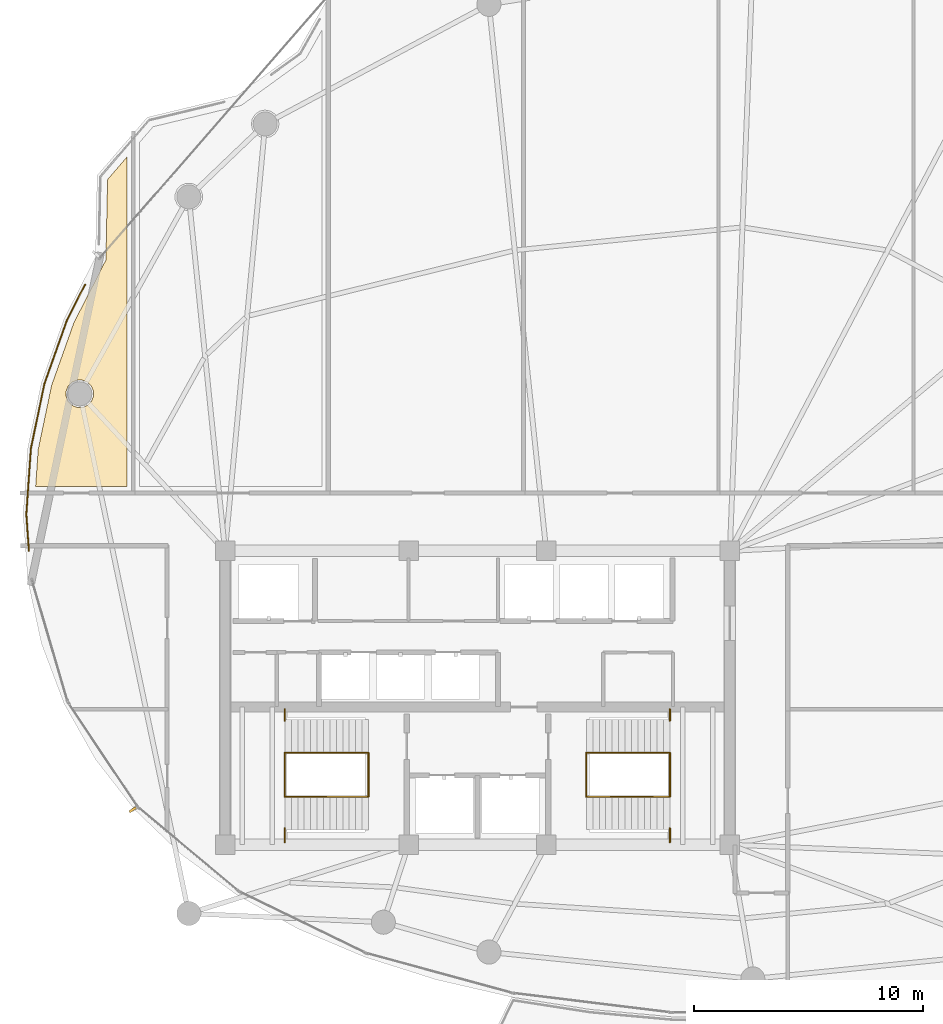
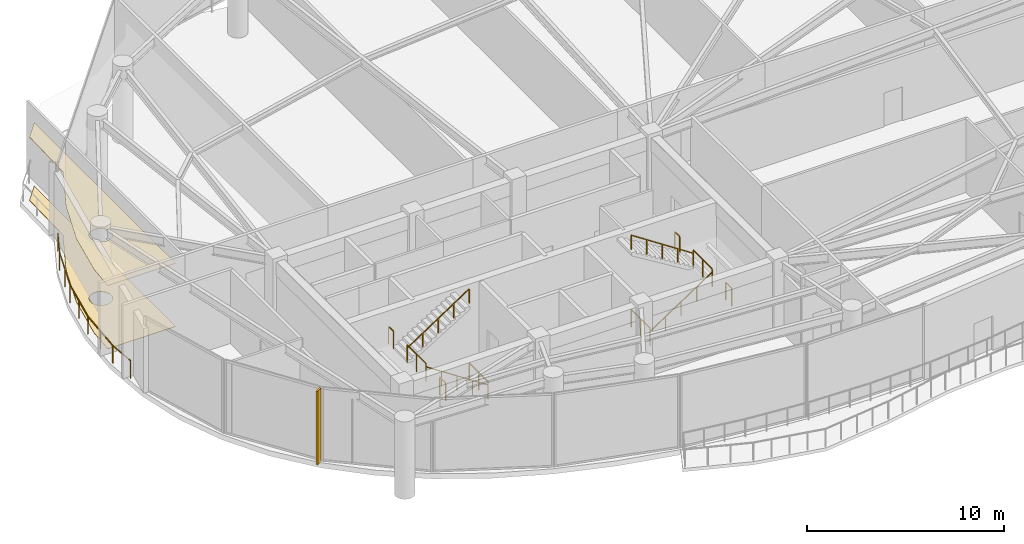
# One storey, part 26 of 28: 13 railings, 2 coverings, 1 shading device.
"""IFC4 building model written with IfcOpenShell, lengths in metres."""

from ifc_helpers import new_model, si_unit, direction, frame, origin, origin_2d, place, context, subcontext, project, spatial, polyline, rectangle, outline, extrude, material, layer, layer_set, type_object, element, save


model = new_model("IFC4")

# Units and contexts
model_context = context("Model", 3, precision=1e-05, world=origin(), true_north=direction((0.0, 1.0)))
body_context = subcontext(model_context, "Body", "Model", "MODEL_VIEW")
ifc_project = project(units=[si_unit("LENGTHUNIT", "METRE"), si_unit("AREAUNIT", "SQUARE_METRE"), si_unit("VOLUMEUNIT", "CUBIC_METRE"), si_unit("PLANEANGLEUNIT", "RADIAN"), si_unit("MASSUNIT", "GRAM", prefix="KILO")], contexts=[model_context])

# Site, building, storey
site_placement = place(None, origin())
site = spatial("IfcSite", under=ifc_project, at=site_placement, CompositionType="ELEMENT")
building_placement = place(site_placement, origin())
building = spatial("IfcBuilding", under=site, at=building_placement, Name="Kazevale Care Tower and Concert Hall", CompositionType="ELEMENT")
storey_placement = place(building_placement, frame((0.0, 0.0, 190.800048828125)))
storey = spatial("IfcBuildingStorey", under=building, at=storey_placement, Name="L50", CompositionType="ELEMENT", Elevation=190.800048828125)

# Covering
ifc_material_1 = material(Name="Acoustic Plaster and Hinoki Wood", Category="wood")
ifc_layer_1 = layer(ifc_material_1, 0.0400390625)
ifc_layer_set_1 = layer_set([ifc_layer_1], Name="Acoustic Plaster and Hinoki Wood")
covering_type_1 = type_object("IfcCoveringType", Name="Acoustic Perforated Wood-Gypsum Ceiling", PredefinedType="CEILING", material=ifc_layer_set_1)
covering_1_placement = place(storey_placement, frame((0.0, 0.0, 3.909912109375)))
element("IfcCovering", 1, at=covering_1_placement, inside=storey, type_object=covering_type_1, Name="clg:L50:1", PredefinedType="CEILING", context=body_context, shape_type="SweptSolid", body=[
    extrude(outline(polyline([(15.407958984375, 46.339111328125), (16.806884765625, 49.0791015625), (16.8798828125, 52.589111328125), (17.719970703125, 53.56298828125), (17.719970703125, 39.205078125), (13.7451171875, 39.205078125), (13.85693359375, 40.824951171875), (14.44091796875, 43.615966796875), (15.407958984375, 46.339111328125)]), holes=[polyline([(16.262939453125, 43.367919921875), (16.173095703125, 43.5859375), (16.006103515625, 43.7529296875), (15.7880859375, 43.843017578125), (15.552001953125, 43.843017578125), (15.333984375, 43.7529296875), (15.1669921875, 43.5859375), (15.076904296875, 43.367919921875), (15.076904296875, 43.132080078125), (15.1669921875, 42.9140625), (15.333984375, 42.7470703125), (15.552001953125, 42.656982421875), (15.7880859375, 42.656982421875), (16.006103515625, 42.7470703125), (16.173095703125, 42.9140625), (16.262939453125, 43.132080078125), (16.262939453125, 43.367919921875)])]), origin(), (0.0, 0.0, 1.0), 0.0400390625),
])

# Railing
ifc_material_2 = material(Name="Anodised Bronze Aluminium and Laminated Glass", Category="aluminium")
railing_type_1 = type_object("IfcRailingType", Name="Balcony and Terrace Balustrade 1120", PredefinedType="BALUSTRADE", material=ifc_material_2)
railing_1_placement = place(storey_placement, frame((13.451904296875, 36.39892578125, 0.0)))
element("IfcRailing", 2, at=railing_1_placement, inside=storey, type_object=railing_type_1, Name="rail:L50:perim:1", PredefinedType="BALUSTRADE", context=body_context, shape_type="SweptSolid", body=[
    extrude(rectangle(XDim=0.048095703125, YDim=0.048095703125, at=origin_2d()), frame((0.0, 0.0, 1.09619140625), z_axis=(-0.069668671127, 0.997570186134, 0.0), x_axis=(-0.997570186134, -0.069668671127, 0.0)), (0.0, 0.0, 1.0), 1.60498046875),
    extrude(rectangle(XDim=0.048095703125, YDim=0.048095703125, at=origin_2d()), frame((-0.11181640625, 1.60107421875, 1.09619140625), z_axis=(0.069189590327, 0.997603528758, 0.0), x_axis=(-0.997603528758, 0.069189590327, 0.0)), (0.0, 0.0, 1.0), 2.875732421875),
    extrude(rectangle(XDim=0.048095703125, YDim=0.048095703125, at=origin_2d()), frame((0.087158203125, 4.469970703125, 1.09619140625), z_axis=(0.204816187417, 0.978800454317, 0.0), x_axis=(-0.978800454317, 0.204816187417, 0.0)), (0.0, 0.0, 1.0), 2.895263671875),
    extrude(rectangle(XDim=0.048095703125, YDim=0.048095703125, at=origin_2d()), frame((0.68017578125, 7.303955078125, 1.09619140625), z_axis=(0.334552974602, 0.942376945381, 0.0), x_axis=(-0.942376945381, 0.334552974602, 0.0)), (0.0, 0.0, 1.0), 2.93212890625),
    extrude(rectangle(XDim=0.048095703125, YDim=0.048095703125, at=origin_2d()), frame((1.6611328125, 10.067138671875, 1.09619140625), z_axis=(0.455056261721, 0.890462687971, 0.0), x_axis=(-0.890462687971, 0.455056261721, 0.0)), (0.0, 0.0, 1.0), 1.72705078125),
    extrude(rectangle(XDim=0.0419921875, YDim=0.0419921875, at=origin_2d()), origin(), (0.0, 0.0, 1.0), 1.072021484375),
    extrude(rectangle(XDim=0.0419921875, YDim=0.0419921875, at=origin_2d()), frame((-0.11181640625, 1.60107421875, 0.0)), (0.0, 0.0, 1.0), 1.072021484375),
    extrude(rectangle(XDim=0.0419921875, YDim=0.0419921875, at=origin_2d()), frame((-0.01220703125, 3.03564453125, 0.0)), (0.0, 0.0, 1.0), 1.072021484375),
    extrude(rectangle(XDim=0.0419921875, YDim=0.0419921875, at=origin_2d()), frame((0.087158203125, 4.469970703125, 0.0)), (0.0, 0.0, 1.0), 1.072021484375),
    extrude(rectangle(XDim=0.0419921875, YDim=0.0419921875, at=origin_2d()), frame((0.3837890625, 5.886962890625, 0.0)), (0.0, 0.0, 1.0), 1.072021484375),
    extrude(rectangle(XDim=0.0419921875, YDim=0.0419921875, at=origin_2d()), frame((0.68017578125, 7.303955078125, 0.0)), (0.0, 0.0, 1.0), 1.072021484375),
    extrude(rectangle(XDim=0.0419921875, YDim=0.0419921875, at=origin_2d()), frame((1.170654296875, 8.685546875, 0.0)), (0.0, 0.0, 1.0), 1.072021484375),
    extrude(rectangle(XDim=0.0419921875, YDim=0.0419921875, at=origin_2d()), frame((1.6611328125, 10.067138671875, 0.0)), (0.0, 0.0, 1.0), 1.072021484375),
    extrude(rectangle(XDim=0.0419921875, YDim=0.0419921875, at=origin_2d()), frame((2.447021484375, 11.60498046875, 0.0)), (0.0, 0.0, 1.0), 1.072021484375),
])

# Covering
ifc_material_3 = material(Name="Honed Ochre Limestone", Category="masonry")
ifc_layer_2 = layer(ifc_material_3, 0.02001953125)
ifc_layer_set_2 = layer_set([ifc_layer_2], Name="Honed Ochre Limestone")
covering_type_2 = type_object("IfcCoveringType", Name="Slip-Resistant Resilient Care Flooring", PredefinedType="FLOORING", material=ifc_layer_set_2)
covering_2_placement = place(storey_placement, origin())
element("IfcCovering", 3, at=covering_2_placement, inside=storey, type_object=covering_type_2, Name="flr:L50:1", PredefinedType="FLOORING", context=body_context, shape_type="SweptSolid", body=[
    extrude(outline(polyline([(15.407958984375, 46.339111328125), (16.806884765625, 49.0791015625), (16.8798828125, 52.589111328125), (17.719970703125, 53.56298828125), (17.719970703125, 39.205078125), (13.7451171875, 39.205078125), (13.85693359375, 40.824951171875), (14.44091796875, 43.615966796875), (15.407958984375, 46.339111328125)]), holes=[polyline([(16.262939453125, 43.367919921875), (16.173095703125, 43.5859375), (16.006103515625, 43.7529296875), (15.7880859375, 43.843017578125), (15.552001953125, 43.843017578125), (15.333984375, 43.7529296875), (15.1669921875, 43.5859375), (15.076904296875, 43.367919921875), (15.076904296875, 43.132080078125), (15.1669921875, 42.9140625), (15.333984375, 42.7470703125), (15.552001953125, 42.656982421875), (15.7880859375, 42.656982421875), (16.006103515625, 42.7470703125), (16.173095703125, 42.9140625), (16.262939453125, 43.132080078125), (16.262939453125, 43.367919921875)])]), origin(), (0.0, 0.0, 1.0), 0.02001953125),
])

# Railings
ifc_material_4 = material(Name="Stainless Steel 316", Category="steel")
railing_type_2 = type_object("IfcRailingType", Name="Stair Pitch Handrail 920", PredefinedType="HANDRAIL", material=ifc_material_4)
railing_2_placement = place(storey_placement, frame((28.25, 25.68994140625, 0.0)))
element("IfcRailing", 4, at=railing_2_placement, inside=storey, type_object=railing_type_2, Name="stair:L50:ST1:hr1", PredefinedType="HANDRAIL", context=body_context, shape_type="SweptSolid", body=[
    extrude(rectangle(XDim=0.048095703125, YDim=0.048095703125, at=origin_2d()), frame((0.0, 0.0, 0.89599609375), z_axis=(-0.834865213223, 0.0, 0.550454426587), x_axis=(0.0, -1.0, 0.0)), (0.0, 0.0, 1.0), 4.35986328125),
    extrude(rectangle(XDim=0.0419921875, YDim=0.0419921875, at=origin_2d()), origin(), (0.0, 0.0, 1.0), 0.871826171875),
    extrude(rectangle(XDim=0.0419921875, YDim=0.0419921875, at=origin_2d()), frame((-0.909912109375, 0.0, 0.60009765625)), (0.0, 0.0, 1.0), 0.871826171875),
    extrude(rectangle(XDim=0.0419921875, YDim=0.0419921875, at=origin_2d()), frame((-1.81982421875, 0.0, 1.199951171875)), (0.0, 0.0, 1.0), 0.871826171875),
    extrude(rectangle(XDim=0.0419921875, YDim=0.0419921875, at=origin_2d()), frame((-2.72998046875, 0.0, 1.7998046875)), (0.0, 0.0, 1.0), 0.871826171875),
    extrude(rectangle(XDim=0.0419921875, YDim=0.0419921875, at=origin_2d()), frame((-3.639892578125, 0.0, 2.39990234375)), (0.0, 0.0, 1.0), 0.871826171875),
])
railing_3_placement = place(storey_placement, frame((24.610107421875, 27.610107421875, 2.39990234375)))
element("IfcRailing", 5, at=railing_3_placement, inside=storey, type_object=railing_type_2, Name="stair:L50:ST1:hr2", PredefinedType="HANDRAIL", context=body_context, shape_type="SweptSolid", body=[
    extrude(rectangle(XDim=0.048095703125, YDim=0.048095703125, at=origin_2d()), frame((0.0, 0.0, 0.89599609375), z_axis=(0.834839479206, 0.0, 0.550493454965), x_axis=(0.0, 1.0, 0.0)), (0.0, 0.0, 1.0), 4.360107421875),
    extrude(rectangle(XDim=0.0419921875, YDim=0.0419921875, at=origin_2d()), origin(), (0.0, 0.0, 1.0), 0.871826171875),
    extrude(rectangle(XDim=0.0419921875, YDim=0.0419921875, at=origin_2d()), frame((0.909912109375, 0.0, 0.60009765625)), (0.0, 0.0, 1.0), 0.871826171875),
    extrude(rectangle(XDim=0.0419921875, YDim=0.0419921875, at=origin_2d()), frame((1.81982421875, 0.0, 1.2001953125)), (0.0, 0.0, 1.0), 0.871826171875),
    extrude(rectangle(XDim=0.0419921875, YDim=0.0419921875, at=origin_2d()), frame((2.72998046875, 0.0, 1.800048828125)), (0.0, 0.0, 1.0), 0.871826171875),
    extrude(rectangle(XDim=0.0419921875, YDim=0.0419921875, at=origin_2d()), frame((3.639892578125, 0.0, 2.400146484375)), (0.0, 0.0, 1.0), 0.871826171875),
])
railing_4_placement = place(storey_placement, frame((37.75, 25.68994140625, 0.0)))
element("IfcRailing", 6, at=railing_4_placement, inside=storey, type_object=railing_type_2, Name="stair:L50:ST2:hr1", PredefinedType="HANDRAIL", context=body_context, shape_type="SweptSolid", body=[
    extrude(rectangle(XDim=0.048095703125, YDim=0.048095703125, at=origin_2d()), frame((0.0, 0.0, 0.89599609375), z_axis=(0.834865213223, 0.0, 0.550454426587), x_axis=(0.0, 1.0, 0.0)), (0.0, 0.0, 1.0), 4.35986328125),
    extrude(rectangle(XDim=0.0419921875, YDim=0.0419921875, at=origin_2d()), origin(), (0.0, 0.0, 1.0), 0.871826171875),
    extrude(rectangle(XDim=0.0419921875, YDim=0.0419921875, at=origin_2d()), frame((0.909912109375, 0.0, 0.60009765625)), (0.0, 0.0, 1.0), 0.871826171875),
    extrude(rectangle(XDim=0.0419921875, YDim=0.0419921875, at=origin_2d()), frame((1.81982421875, 0.0, 1.199951171875)), (0.0, 0.0, 1.0), 0.871826171875),
    extrude(rectangle(XDim=0.0419921875, YDim=0.0419921875, at=origin_2d()), frame((2.72998046875, 0.0, 1.7998046875)), (0.0, 0.0, 1.0), 0.871826171875),
    extrude(rectangle(XDim=0.0419921875, YDim=0.0419921875, at=origin_2d()), frame((3.639892578125, 0.0, 2.39990234375)), (0.0, 0.0, 1.0), 0.871826171875),
])
railing_5_placement = place(storey_placement, frame((41.389892578125, 27.610107421875, 2.39990234375)))
element("IfcRailing", 7, at=railing_5_placement, inside=storey, type_object=railing_type_2, Name="stair:L50:ST2:hr2", PredefinedType="HANDRAIL", context=body_context, shape_type="SweptSolid", body=[
    extrude(rectangle(XDim=0.048095703125, YDim=0.048095703125, at=origin_2d()), frame((0.0, 0.0, 0.89599609375), z_axis=(-0.834839479206, 0.0, 0.550493454965), x_axis=(0.0, -1.0, 0.0)), (0.0, 0.0, 1.0), 4.360107421875),
    extrude(rectangle(XDim=0.0419921875, YDim=0.0419921875, at=origin_2d()), origin(), (0.0, 0.0, 1.0), 0.871826171875),
    extrude(rectangle(XDim=0.0419921875, YDim=0.0419921875, at=origin_2d()), frame((-0.909912109375, 0.0, 0.60009765625)), (0.0, 0.0, 1.0), 0.871826171875),
    extrude(rectangle(XDim=0.0419921875, YDim=0.0419921875, at=origin_2d()), frame((-1.81982421875, 0.0, 1.2001953125)), (0.0, 0.0, 1.0), 0.871826171875),
    extrude(rectangle(XDim=0.0419921875, YDim=0.0419921875, at=origin_2d()), frame((-2.72998046875, 0.0, 1.800048828125)), (0.0, 0.0, 1.0), 0.871826171875),
    extrude(rectangle(XDim=0.0419921875, YDim=0.0419921875, at=origin_2d()), frame((-3.639892578125, 0.0, 2.400146484375)), (0.0, 0.0, 1.0), 0.871826171875),
])
railing_type_3 = type_object("IfcRailingType", Name="Stair Well Guard Balustrade 1120", PredefinedType="BALUSTRADE", material=ifc_material_4)
railing_6_placement = place(storey_placement, frame((24.610107421875, 23.699951171875, 2.39990234375)))
element("IfcRailing", 8, at=railing_6_placement, inside=storey, type_object=railing_type_3, Name="stair:L50:ST1:grd_side1", PredefinedType="BALUSTRADE", context=body_context, shape_type="SweptSolid", body=[
    extrude(rectangle(XDim=0.048095703125, YDim=0.048095703125, at=origin_2d()), frame((0.0, 0.0, 1.09619140625), z_axis=(0.0, 1.0, 0.0), x_axis=(-1.0, 0.0, 0.0)), (0.0, 0.0, 1.0), 0.610107421875),
    extrude(rectangle(XDim=0.0419921875, YDim=0.0419921875, at=origin_2d()), origin(), (0.0, 0.0, 1.0), 1.072021484375),
    extrude(rectangle(XDim=0.0419921875, YDim=0.0419921875, at=origin_2d()), frame((0.0, 0.610107421875, 0.0)), (0.0, 0.0, 1.0), 1.072021484375),
])
railing_7_placement = place(storey_placement, frame((24.610107421875, 28.989990234375, 2.39990234375)))
element("IfcRailing", 9, at=railing_7_placement, inside=storey, type_object=railing_type_3, Name="stair:L50:ST1:grd_side2", PredefinedType="BALUSTRADE", context=body_context, shape_type="SweptSolid", body=[
    extrude(rectangle(XDim=0.048095703125, YDim=0.048095703125, at=origin_2d()), frame((0.0, 0.0, 1.09619140625), z_axis=(0.0, 1.0, 0.0), x_axis=(-1.0, 0.0, 0.0)), (0.0, 0.0, 1.0), 0.510009765625),
    extrude(rectangle(XDim=0.0419921875, YDim=0.0419921875, at=origin_2d()), origin(), (0.0, 0.0, 1.0), 1.072021484375),
    extrude(rectangle(XDim=0.0419921875, YDim=0.0419921875, at=origin_2d()), frame((0.0, 0.510009765625, 0.0)), (0.0, 0.0, 1.0), 1.072021484375),
])
for number, where, name in (
    (10, (24.610107421875, 25.68994140625, 2.39990234375), "stair:L50:ST1:grd_mid"),
    (11, (28.25, 25.68994140625, 0.0), "stair:L50:ST1:grd_flr"),
):
    element("IfcRailing", number, at=place(storey_placement, frame(where)), inside=storey, type_object=railing_type_3, Name=name, PredefinedType="BALUSTRADE", context=body_context, shape_type="SweptSolid", body=[
        extrude(rectangle(XDim=0.048095703125, YDim=0.048095703125, at=origin_2d()), frame((0.0, 0.0, 1.09619140625), z_axis=(0.0, 1.0, 0.0), x_axis=(-1.0, 0.0, 0.0)), (0.0, 0.0, 1.0), 1.920166015625),
        extrude(rectangle(XDim=0.0419921875, YDim=0.0419921875, at=origin_2d()), origin(), (0.0, 0.0, 1.0), 1.072021484375),
        extrude(rectangle(XDim=0.0419921875, YDim=0.0419921875, at=origin_2d()), frame((0.0, 0.9599609375, 0.0)), (0.0, 0.0, 1.0), 1.072021484375),
        extrude(rectangle(XDim=0.0419921875, YDim=0.0419921875, at=origin_2d()), frame((0.0, 1.920166015625, 0.0)), (0.0, 0.0, 1.0), 1.072021484375),
    ])
railing_8_placement = place(storey_placement, frame((41.389892578125, 23.699951171875, 2.39990234375)))
element("IfcRailing", 12, at=railing_8_placement, inside=storey, type_object=railing_type_3, Name="stair:L50:ST2:grd_side1", PredefinedType="BALUSTRADE", context=body_context, shape_type="SweptSolid", body=[
    extrude(rectangle(XDim=0.048095703125, YDim=0.048095703125, at=origin_2d()), frame((0.0, 0.0, 1.09619140625), z_axis=(0.0, 1.0, 0.0), x_axis=(-1.0, 0.0, 0.0)), (0.0, 0.0, 1.0), 0.610107421875),
    extrude(rectangle(XDim=0.0419921875, YDim=0.0419921875, at=origin_2d()), origin(), (0.0, 0.0, 1.0), 1.072021484375),
    extrude(rectangle(XDim=0.0419921875, YDim=0.0419921875, at=origin_2d()), frame((0.0, 0.610107421875, 0.0)), (0.0, 0.0, 1.0), 1.072021484375),
])
railing_9_placement = place(storey_placement, frame((41.389892578125, 28.989990234375, 2.39990234375)))
element("IfcRailing", 13, at=railing_9_placement, inside=storey, type_object=railing_type_3, Name="stair:L50:ST2:grd_side2", PredefinedType="BALUSTRADE", context=body_context, shape_type="SweptSolid", body=[
    extrude(rectangle(XDim=0.048095703125, YDim=0.048095703125, at=origin_2d()), frame((0.0, 0.0, 1.09619140625), z_axis=(0.0, 1.0, 0.0), x_axis=(-1.0, 0.0, 0.0)), (0.0, 0.0, 1.0), 0.510009765625),
    extrude(rectangle(XDim=0.0419921875, YDim=0.0419921875, at=origin_2d()), origin(), (0.0, 0.0, 1.0), 1.072021484375),
    extrude(rectangle(XDim=0.0419921875, YDim=0.0419921875, at=origin_2d()), frame((0.0, 0.510009765625, 0.0)), (0.0, 0.0, 1.0), 1.072021484375),
])
for number, where, name in (
    (14, (41.389892578125, 25.68994140625, 2.39990234375), "stair:L50:ST2:grd_mid"),
    (15, (37.75, 25.68994140625, 0.0), "stair:L50:ST2:grd_flr"),
):
    element("IfcRailing", number, at=place(storey_placement, frame(where)), inside=storey, type_object=railing_type_3, Name=name, PredefinedType="BALUSTRADE", context=body_context, shape_type="SweptSolid", body=[
        extrude(rectangle(XDim=0.048095703125, YDim=0.048095703125, at=origin_2d()), frame((0.0, 0.0, 1.09619140625), z_axis=(0.0, 1.0, 0.0), x_axis=(-1.0, 0.0, 0.0)), (0.0, 0.0, 1.0), 1.920166015625),
        extrude(rectangle(XDim=0.0419921875, YDim=0.0419921875, at=origin_2d()), origin(), (0.0, 0.0, 1.0), 1.072021484375),
        extrude(rectangle(XDim=0.0419921875, YDim=0.0419921875, at=origin_2d()), frame((0.0, 0.9599609375, 0.0)), (0.0, 0.0, 1.0), 1.072021484375),
        extrude(rectangle(XDim=0.0419921875, YDim=0.0419921875, at=origin_2d()), frame((0.0, 1.920166015625, 0.0)), (0.0, 0.0, 1.0), 1.072021484375),
    ])

# Shading device
ifc_material_5 = material(Name="Anodised Bronze Aluminium", Category="aluminium")
shading_device_type = type_object("IfcShadingDeviceType", Name="Waist Anodised Bronze-Stone Fin FIN-02", PredefinedType="USERDEFINED", material=ifc_material_5)
shading_device_placement = place(storey_placement, frame((17.972900390625, 25.121337890625, 0.0), z_axis=(0.0, 0.0, 1.0), x_axis=(-0.832147748683, -0.554553986878, 0.0)))
element("IfcShadingDevice", 16, at=shading_device_placement, inside=storey, type_object=shading_device_type, Name="cw:L50:f11:fin", ObjectType="FIN", PredefinedType="USERDEFINED", context=body_context, shape_type="SweptSolid", body=[
    extrude(rectangle(XDim=0.340087890625, YDim=0.10009765625, at=origin_2d()), origin(), (0.0, 0.0, 1.0), 4.56005859375),
])

save(model, "model.ifc")
